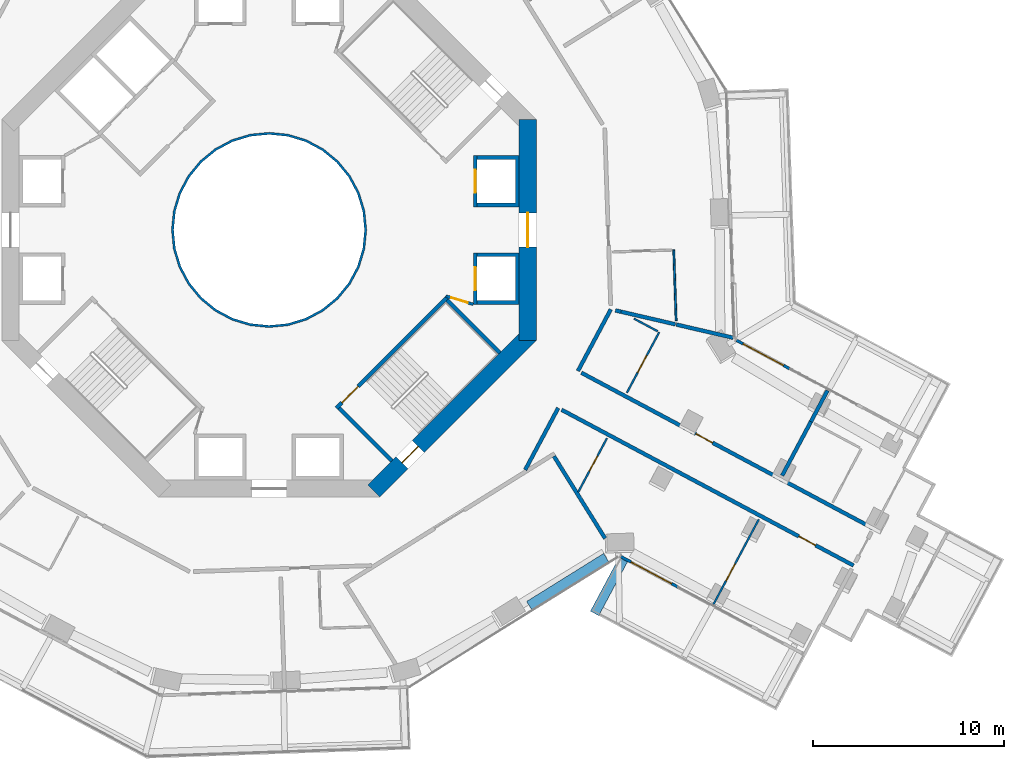
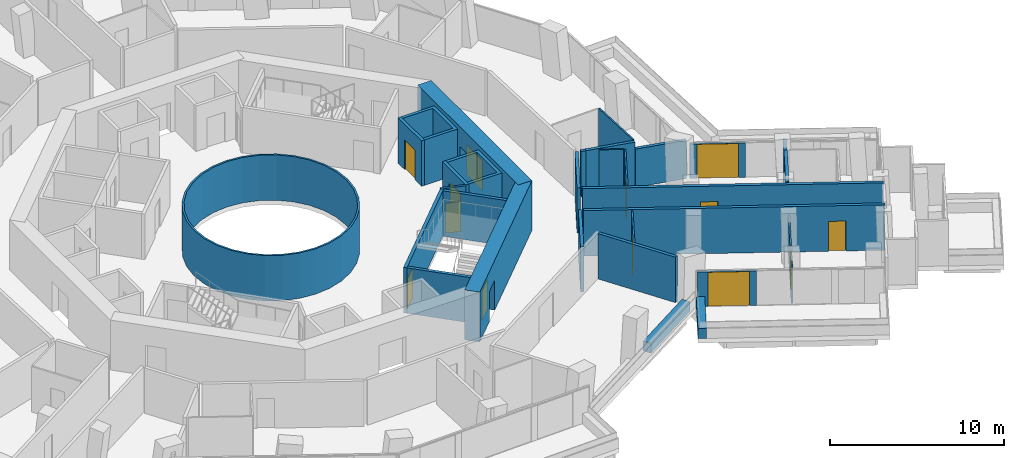
# One storey, part 20 of 27: 30 walls, 13 doors, 13 openings.
"""IFC4 building model written with IfcOpenShell, lengths in metres."""

from ifc_helpers import new_model, si_unit, direction, frame, frame_2d, origin, place, context, subcontext, project, spatial, polyline, rectangle, outline, extrude, material, layer, layer_set, type_object, element, fill, save


model = new_model("IFC4")

# Units and contexts
model_context = context("Model", 3, precision=1e-05, world=origin(), true_north=direction((0.0, 1.0)))
body_context = subcontext(model_context, "Body", "Model", "MODEL_VIEW")
ifc_project = project(units=[si_unit("LENGTHUNIT", "METRE"), si_unit("AREAUNIT", "SQUARE_METRE"), si_unit("VOLUMEUNIT", "CUBIC_METRE"), si_unit("PLANEANGLEUNIT", "RADIAN"), si_unit("MASSUNIT", "GRAM", prefix="KILO")], contexts=[model_context])

# Site, building, storey
site_placement = place(None, origin())
site = spatial("IfcSite", under=ifc_project, at=site_placement, CompositionType="ELEMENT")
building_placement = place(site_placement, origin())
building = spatial("IfcBuilding", under=site, at=building_placement, Name="Verdalira Terraces Hotel", CompositionType="ELEMENT")
storey_placement = place(building_placement, frame((0.0, 0.0, 42.5)))
storey = spatial("IfcBuildingStorey", under=building, at=storey_placement, Name="L08", CompositionType="ELEMENT", Elevation=42.5)

# Walls
ifc_material_1 = material(Name="Fire-resisting glass EI 180", Category="glass")
ifc_layer_1 = layer(ifc_material_1, 0.1201171875)
ifc_layer_set_1 = layer_set([ifc_layer_1], Name="Atrium fire screen 120 mm")
wall_type_1 = type_object("IfcWallType", Name="Atrium fire screen 120 mm", PredefinedType="SOLIDWALL", material=ifc_layer_set_1)
wall_1_placement = place(storey_placement, origin())
element("IfcWall", 1, at=wall_1_placement, inside=storey, type_object=wall_type_1, Name="Atrium fire screen", PredefinedType="SOLIDWALL", context=body_context, shape_type="SweptSolid", body=[
    extrude(outline(polyline([(5.021484, -0.998779), (4.730225, -1.959229), (4.25708, -2.844482), (3.620361, -3.620361), (2.844482, -4.25708), (1.959229, -4.730225), (0.998779, -5.021484), (0.0, -5.120117), (-0.998779, -5.021484), (-1.959229, -4.730225), (-2.844482, -4.25708), (-3.620361, -3.620361), (-4.25708, -2.844482), (-4.730225, -1.959229), (-5.021484, -0.998779), (-5.120117, 0.0), (-5.021484, 0.998779), (-4.730225, 1.959229), (-4.25708, 2.844482), (-3.620361, 3.620361), (-2.844482, 4.25708), (-1.959229, 4.730225), (-0.998779, 5.021484), (0.0, 5.120117), (0.998779, 5.021484), (1.959229, 4.730225), (2.844482, 4.25708), (3.620361, 3.620361), (4.25708, 2.844482), (4.730225, 1.959229), (5.021484, 0.998779), (5.120117, 0.0), (5.021484, -0.998779)]), holes=[polyline([(4.903809, 0.975586), (4.619385, 1.91333), (4.157227, 2.777832), (3.5354, 3.5354), (2.777832, 4.157227), (1.91333, 4.619385), (0.975586, 4.903809), (0.0, 5.0), (-0.975586, 4.903809), (-1.91333, 4.619385), (-2.777832, 4.157227), (-3.5354, 3.5354), (-4.157227, 2.777832), (-4.619385, 1.91333), (-4.903809, 0.975586), (-5.0, 0.0), (-4.903809, -0.975586), (-4.619385, -1.91333), (-4.157227, -2.777832), (-3.5354, -3.5354), (-2.777832, -4.157227), (-1.91333, -4.619385), (-0.975586, -4.903809), (0.0, -5.0), (0.975586, -4.903809), (1.91333, -4.619385), (2.777832, -4.157227), (3.5354, -3.5354), (4.157227, -2.777832), (4.619385, -1.91333), (4.903809, -0.975586), (5.0, 0.0), (4.903809, 0.975586)])]), origin(), (0.0, 0.0, 1.0), 3.189941),
])
ifc_material_2 = material(Name="Concrete C40", Category="concrete")
ifc_layer_2 = layer(ifc_material_2, 0.5)
ifc_layer_set_2 = layer_set([ifc_layer_2], Name="Balcony planter trough with tree")
wall_type_2 = type_object("IfcWallType", Name="Balcony planter trough with tree", PredefinedType="SOLIDWALL", material=ifc_layer_set_2)
wall_2_placement = place(storey_placement, frame((18.563477, -17.271973, 0.0), z_axis=(0.0, 0.0, 1.0), x_axis=(-0.470714983, -0.882285331, 0.0)))
element("IfcWall", 2, at=wall_2_placement, inside=storey, type_object=wall_type_2, Name="Balcony planter", PredefinedType="SOLIDWALL", context=body_context, shape_type="SweptSolid", body=[
    extrude(rectangle(XDim=3.198975, YDim=0.5, at=frame_2d((1.599609, 0.0))), origin(), (0.0, 0.0, 1.0), 0.699951),
])

# Wall, opening, door
ifc_material_3 = material(Name="Moisture-resistant gypsum board partition")
ifc_layer_3 = layer(ifc_material_3, 0.10009765625)
ifc_layer_set_3 = layer_set([ifc_layer_3], Name="Bathroom partition 100 mm")
wall_type_3 = type_object("IfcWallType", Name="Bathroom partition 100 mm", PredefinedType="PARTITIONING", material=ifc_layer_set_3)
wall_3_placement = place(storey_placement, frame((16.197021, -13.740723, 0.0), z_axis=(0.0, 0.0, 1.0), x_axis=(0.470683291, 0.882302238, 0.0)))
wall_3 = element("IfcWall", 3, at=wall_3_placement, inside=storey, type_object=wall_type_3, Name="Bathroom partition", PredefinedType="PARTITIONING", context=body_context, shape_type="SweptSolid", body=[
    extrude(rectangle(XDim=3.199219, YDim=0.100098, at=frame_2d((1.599609, 0.0))), origin(), (0.0, 0.0, 1.0), 3.189941),
])
opening_1_placement = place(wall_3_placement, frame((1.25, 0.0, 0.0)))
opening_1 = element("IfcOpeningElement", 4, at=opening_1_placement, cuts=wall_3, Name="Opening L08-123", PredefinedType="OPENING", context=body_context, shape_type="SweptSolid", body=[
    extrude(rectangle(XDim=0.899902, YDim=2.100098, at=frame_2d((0.449951, 1.050049))), frame((0.0, 0.060059, 0.0), z_axis=(0.0, -1.0, 0.0), x_axis=(1.0, 0.0, 0.0)), (0.0, 0.0, 1.0), 0.120117),
])
ifc_material_4 = material(Name="Timber door", Category="wood")
door_type_1 = type_object("IfcDoorType", Name="Bathroom door 900 x 2100", OperationType="NOTDEFINED", PredefinedType="DOOR", material=ifc_material_4)
door_1_placement = place(opening_1_placement, origin())
door_1 = element("IfcDoor", 5, at=door_1_placement, inside=storey, type_object=door_type_1, Name="Bathroom door 0811", OperationType="SINGLE_SWING_LEFT", OverallHeight=2.10009765625, OverallWidth=0.89990234375, PredefinedType="DOOR", context=body_context, shape_type="SweptSolid", body=[
    extrude(rectangle(XDim=0.899902, YDim=2.100098, at=frame_2d((0.449951, 1.050049))), frame((0.0, 0.024902, 0.0), z_axis=(0.0, -1.0, 0.0), x_axis=(1.0, 0.0, 0.0)), (0.0, 0.0, 1.0), 0.050049),
])
fill(opening_1, door_1)

wall_4_placement = place(storey_placement, frame((18.750244, -8.529785, 0.0), z_axis=(0.0, 0.0, 1.0), x_axis=(0.470739592, 0.882272201, 0.0)))
wall_4 = element("IfcWall", 6, at=wall_4_placement, inside=storey, type_object=wall_type_3, Name="Bathroom partition", PredefinedType="PARTITIONING", context=body_context, shape_type="SweptSolid", body=[
    extrude(rectangle(XDim=3.599854, YDim=0.100098, at=frame_2d((1.799805, 0.0))), origin(), (0.0, 0.0, 1.0), 3.189941),
])
opening_2_placement = place(wall_4_placement, frame((1.199951, 0.0, 0.0)))
opening_2 = element("IfcOpeningElement", 7, at=opening_2_placement, cuts=wall_4, Name="Opening L08-128", PredefinedType="OPENING", context=body_context, shape_type="SweptSolid", body=[
    extrude(rectangle(XDim=1.0, YDim=2.100098, at=frame_2d((0.5, 1.050049))), frame((0.0, 0.060059, 0.0), z_axis=(0.0, -1.0, 0.0), x_axis=(1.0, 0.0, 0.0)), (0.0, 0.0, 1.0), 0.120117),
])
ifc_material_5 = material(Name="Timber door", Category="wood")
door_type_2 = type_object("IfcDoorType", Name="Bathroom door 1000 x 2100", OperationType="NOTDEFINED", PredefinedType="DOOR", material=ifc_material_5)
door_2_placement = place(opening_2_placement, origin())
door_2 = element("IfcDoor", 8, at=door_2_placement, inside=storey, type_object=door_type_2, Name="Bathroom door 0813", OperationType="SINGLE_SWING_RIGHT", OverallHeight=2.10009765625, OverallWidth=1.0, PredefinedType="DOOR", context=body_context, shape_type="SweptSolid", body=[
    extrude(rectangle(XDim=1.0, YDim=2.100098, at=frame_2d((0.5, 1.050049))), frame((0.0, 0.024902, 0.0), z_axis=(0.0, -1.0, 0.0), x_axis=(1.0, 0.0, 0.0)), (0.0, 0.0, 1.0), 0.050049),
])
fill(opening_2, door_2)

# Walls
wall_5_placement = place(storey_placement, frame((19.122803, -4.648193, 0.0), z_axis=(0.0, 0.0, 1.0), x_axis=(0.882241776, -0.470796611, 0.0)))
element("IfcWall", 9, at=wall_5_placement, inside=storey, type_object=wall_type_3, Name="Bathroom partition", PredefinedType="PARTITIONING", context=body_context, shape_type="SweptSolid", body=[
    extrude(rectangle(XDim=1.398682, YDim=0.100098, at=frame_2d((0.699219, 0.0))), origin(), (0.0, 0.0, 1.0), 3.189941),
])
wall_6_placement = place(storey_placement, frame((21.205322, -1.048584, 0.0), z_axis=(0.0, 0.0, 1.0), x_axis=(0.033551868, -0.999436978, 0.0)))
element("IfcWall", 10, at=wall_6_placement, inside=storey, type_object=wall_type_3, Name="Bathroom partition", PredefinedType="PARTITIONING", context=body_context, shape_type="SweptSolid", body=[
    extrude(rectangle(XDim=3.703857, YDim=0.100098, at=frame_2d((1.852051, 0.0))), origin(), (0.0, 0.0, 1.0), 3.189941),
])

# Wall, opening, door
ifc_material_6 = material(Name="Moisture-resistant gypsum board partition")
ifc_layer_4 = layer(ifc_material_6, 0.10009765625)
ifc_layer_set_4 = layer_set([ifc_layer_4], Name="Bathroom partition 100 mm to beam soffit")
wall_type_4 = type_object("IfcWallType", Name="Bathroom partition 100 mm to beam soffit", PredefinedType="PARTITIONING", material=ifc_layer_set_4)
wall_7_placement = place(storey_placement, frame((23.2854, -19.620117, 0.0), z_axis=(0.0, 0.0, 1.0), x_axis=(0.470706159, 0.882290038, 0.0)))
wall_7 = element("IfcWall", 11, at=wall_7_placement, inside=storey, type_object=wall_type_4, Name="Bathroom partition", PredefinedType="PARTITIONING", context=body_context, shape_type="SweptSolid", body=[
    extrude(rectangle(XDim=5.050293, YDim=0.100098, at=frame_2d((2.525146, 0.0))), origin(), (0.0, 0.0, 1.0), 2.689941),
])
opening_3_placement = place(wall_7_placement, frame((1.399902, 0.0, 0.0)))
opening_3 = element("IfcOpeningElement", 12, at=opening_3_placement, cuts=wall_7, Name="Opening L08-122", PredefinedType="OPENING", context=body_context, shape_type="SweptSolid", body=[
    extrude(rectangle(XDim=1.0, YDim=2.100098, at=frame_2d((0.5, 1.050049))), frame((0.0, 0.060059, 0.0), z_axis=(0.0, -1.0, 0.0), x_axis=(1.0, 0.0, 0.0)), (0.0, 0.0, 1.0), 0.120117),
])
ifc_material_7 = material(Name="Timber door", Category="wood")
door_type_3 = type_object("IfcDoorType", Name="Suite internal door 1000 x 2100", OperationType="NOTDEFINED", PredefinedType="DOOR", material=ifc_material_7)
door_3_placement = place(opening_3_placement, origin())
door_3 = element("IfcDoor", 13, at=door_3_placement, inside=storey, type_object=door_type_3, Name="Suite internal door 0811", OperationType="SINGLE_SWING_LEFT", OverallHeight=2.10009765625, OverallWidth=1.0, PredefinedType="DOOR", context=body_context, shape_type="SweptSolid", body=[
    extrude(rectangle(XDim=1.0, YDim=2.100098, at=frame_2d((0.5, 1.050049))), frame((0.0, 0.024902, 0.0), z_axis=(0.0, -1.0, 0.0), x_axis=(1.0, 0.0, 0.0)), (0.0, 0.0, 1.0), 0.050049),
])
fill(opening_3, door_3)

# Wall
ifc_material_8 = material(Name="Concrete C50", Category="concrete")
ifc_layer_5 = layer(ifc_material_8, 0.199951171875)
ifc_layer_set_5 = layer_set([ifc_layer_5], Name="Core RC wall 200 C50")
wall_type_5 = type_object("IfcWallType", Name="Core RC wall 200 C50", PredefinedType="SOLIDWALL", material=ifc_layer_set_5)
wall_8_placement = place(storey_placement, origin())
element("IfcWall", 14, at=wall_8_placement, inside=storey, type_object=wall_type_5, Name="L08 shaft wall E1", PredefinedType="SOLIDWALL", context=body_context, shape_type="SweptSolid", body=[
    extrude(outline(polyline([(13.100098, -3.899902), (10.899902, -3.899902), (10.899902, -3.699951), (12.899902, -3.699951), (12.899902, -1.399902), (10.899902, -1.399902), (10.899902, -1.199951), (13.100098, -1.199951), (13.100098, -3.899902)])), origin(), (0.0, 0.0, 1.0), 3.189941),
])

# Wall, opening, door
wall_9_placement = place(storey_placement, frame((10.800049, -1.199951, 0.0), z_axis=(0.0, 0.0, 1.0), x_axis=(0.0, -1.0, 0.0)))
wall_9 = element("IfcWall", 15, at=wall_9_placement, inside=storey, type_object=wall_type_5, Name="L08 shaft front wall E1", PredefinedType="SOLIDWALL", context=body_context, shape_type="SweptSolid", body=[
    extrude(rectangle(XDim=2.699951, YDim=0.199951, at=frame_2d((1.350098, 0.0))), origin(), (0.0, 0.0, 1.0), 3.189941),
])
opening_4_placement = place(wall_9_placement, frame((0.75, 0.0, 0.0)))
opening_4 = element("IfcOpeningElement", 16, at=opening_4_placement, cuts=wall_9, Name="Opening LD-L08-801", PredefinedType="OPENING", context=body_context, shape_type="SweptSolid", body=[
    extrude(rectangle(XDim=1.199951, YDim=2.100098, at=frame_2d((0.600098, 1.050049))), frame((0.0, 0.109863, 0.0), z_axis=(0.0, -1.0, 0.0), x_axis=(1.0, 0.0, 0.0)), (0.0, 0.0, 1.0), 0.219971),
])
ifc_material_9 = material(Name="Stainless steel", Category="steel")
door_type_4 = type_object("IfcDoorType", Name="Landing door 1200 x 2100", OperationType="NOTDEFINED", PredefinedType="DOOR", material=ifc_material_9)
door_4_placement = place(opening_4_placement, origin())
door_4 = element("IfcDoor", 17, at=door_4_placement, inside=storey, type_object=door_type_4, Name="Lift landing door LR1 L08", OperationType="DOUBLE_DOOR_SLIDING", OverallHeight=2.10009765625, OverallWidth=1.199951171875, PredefinedType="DOOR", context=body_context, shape_type="SweptSolid", body=[
    extrude(rectangle(XDim=1.199951, YDim=2.100098, at=frame_2d((0.600098, 1.050049))), frame((0.0, 0.024902, 0.0), z_axis=(0.0, -1.0, 0.0), x_axis=(1.0, 0.0, 0.0)), (0.0, 0.0, 1.0), 0.050049),
])
fill(opening_4, door_4)

# Wall
wall_10_placement = place(storey_placement, origin())
element("IfcWall", 18, at=wall_10_placement, inside=storey, type_object=wall_type_5, Name="L08 shaft wall E2", PredefinedType="SOLIDWALL", context=body_context, shape_type="SweptSolid", body=[
    extrude(outline(polyline([(13.100098, 3.899902), (13.100098, 1.199951), (10.899902, 1.199951), (10.899902, 1.399902), (12.899902, 1.399902), (12.899902, 3.699951), (10.899902, 3.699951), (10.899902, 3.899902), (13.100098, 3.899902)])), origin(), (0.0, 0.0, 1.0), 3.189941),
])

# Wall, opening, door
wall_11_placement = place(storey_placement, frame((10.800049, 1.199951, 0.0), z_axis=(0.0, 0.0, 1.0), x_axis=(0.0, 1.0, 0.0)))
wall_11 = element("IfcWall", 19, at=wall_11_placement, inside=storey, type_object=wall_type_5, Name="L08 shaft front wall E2", PredefinedType="SOLIDWALL", context=body_context, shape_type="SweptSolid", body=[
    extrude(rectangle(XDim=2.699951, YDim=0.199951, at=frame_2d((1.350098, 0.0))), origin(), (0.0, 0.0, 1.0), 3.189941),
])
opening_5_placement = place(wall_11_placement, frame((0.75, 0.0, 0.0)))
opening_5 = element("IfcOpeningElement", 20, at=opening_5_placement, cuts=wall_11, Name="Opening LD-L08-802", PredefinedType="OPENING", context=body_context, shape_type="SweptSolid", body=[
    extrude(rectangle(XDim=1.199951, YDim=2.100098, at=frame_2d((0.600098, 1.050049))), frame((0.0, 0.109863, 0.0), z_axis=(0.0, -1.0, 0.0), x_axis=(1.0, 0.0, 0.0)), (0.0, 0.0, 1.0), 0.219971),
])
door_5_placement = place(opening_5_placement, origin())
door_5 = element("IfcDoor", 21, at=door_5_placement, inside=storey, type_object=door_type_4, Name="Lift landing door LR2 L08", OperationType="DOUBLE_DOOR_SLIDING", OverallHeight=2.10009765625, OverallWidth=1.199951171875, PredefinedType="DOOR", context=body_context, shape_type="SweptSolid", body=[
    extrude(rectangle(XDim=1.199951, YDim=2.100098, at=frame_2d((0.600098, 1.050049))), frame((0.0, 0.024902, 0.0), z_axis=(0.0, -1.0, 0.0), x_axis=(1.0, 0.0, 0.0)), (0.0, 0.0, 1.0), 0.050049),
])
fill(opening_5, door_5)

wall_12_placement = place(storey_placement, frame((9.33374, -3.5354, 0.0), z_axis=(0.0, 0.0, 1.0), x_axis=(-0.707106781, -0.707106781, 0.0)))
wall_12 = element("IfcWall", 22, at=wall_12_placement, inside=storey, type_object=wall_type_5, Name="L08 stair ST3 front wall", PredefinedType="SOLIDWALL", context=body_context, shape_type="SweptSolid", body=[
    extrude(rectangle(XDim=8.200195, YDim=0.199951, at=frame_2d((4.100098, 0.0))), origin(), (0.0, 0.0, 1.0), 3.189941),
])
opening_6_placement = place(wall_12_placement, frame((6.600098, 0.0, 0.0)))
opening_6 = element("IfcOpeningElement", 23, at=opening_6_placement, cuts=wall_12, Name="Opening L08-811", PredefinedType="OPENING", context=body_context, shape_type="SweptSolid", body=[
    extrude(rectangle(XDim=1.199951, YDim=2.100098, at=frame_2d((0.600098, 1.050049))), frame((0.0, 0.109863, 0.0), z_axis=(0.0, -1.0, 0.0), x_axis=(1.0, 0.0, 0.0)), (0.0, 0.0, 1.0), 0.219971),
])
ifc_material_10 = material(Name="Steel fire door", Category="steel")
door_type_5 = type_object("IfcDoorType", Name="Stair door 1200 x 2100", OperationType="NOTDEFINED", PredefinedType="DOOR", material=ifc_material_10)
door_6_placement = place(opening_6_placement, origin())
door_6 = element("IfcDoor", 24, at=door_6_placement, inside=storey, type_object=door_type_5, Name="Stair door ST3 L08", OperationType="SINGLE_SWING_RIGHT", OverallHeight=2.10009765625, OverallWidth=1.199951171875, PredefinedType="DOOR", context=body_context, shape_type="SweptSolid", body=[
    extrude(rectangle(XDim=1.199951, YDim=2.100098, at=frame_2d((0.600098, 1.050049))), frame((0.0, 0.024902, 0.0), z_axis=(0.0, -1.0, 0.0), x_axis=(1.0, 0.0, 0.0)), (0.0, 0.0, 1.0), 0.050049),
])
fill(opening_6, door_6)

# Walls
for number, where, z_axis, x_axis, name in (
    (25, (3.677002, -9.33374, 0.0), (0.0, 0.0, 1.0), (0.707106781, -0.707106781, 0.0), "L08 stair ST3 end wall 1"),
    (26, (9.33374, -3.677002, 0.0), (0.0, 0.0, 1.0), (0.707106781, -0.707106781, 0.0), "L08 stair ST3 end wall 2"),
):
    element("IfcWall", number, at=place(storey_placement, frame(where, z_axis=z_axis, x_axis=x_axis)), inside=storey, type_object=wall_type_5, Name=name, PredefinedType="SOLIDWALL", context=body_context, shape_type="SweptSolid", body=[
        extrude(rectangle(XDim=3.900146, YDim=0.199951, at=frame_2d((1.950195, 0.0))), origin(), (0.0, 0.0, 1.0), 3.189941),
    ])

# Wall, opening, door
ifc_material_11 = material(Name="Gypsum board partition")
ifc_layer_6 = layer(ifc_material_11, 0.14990234375)
ifc_layer_set_6 = layer_set([ifc_layer_6], Name="Core partition 150 mm")
wall_type_6 = type_object("IfcWallType", Name="Core partition 150 mm", PredefinedType="PARTITIONING", material=ifc_layer_set_6)
wall_13_placement = place(storey_placement, frame((9.263184, -3.464844, 0.0), z_axis=(0.0, 0.0, 1.0), x_axis=(0.957084567, -0.289808785, 0.0)))
wall_13 = element("IfcWall", 27, at=wall_13_placement, inside=storey, type_object=wall_type_6, Name="Room partition L08", PredefinedType="PARTITIONING", context=body_context, shape_type="SweptSolid", body=[
    extrude(rectangle(XDim=1.501221, YDim=0.149902, at=frame_2d((0.750488, 0.0))), origin(), (0.0, 0.0, 1.0), 3.189941),
])
opening_7_placement = place(wall_13_placement, frame((0.300781, 0.0, 0.0)))
opening_7 = element("IfcOpeningElement", 28, at=opening_7_placement, cuts=wall_13, Name="Opening L08-824", PredefinedType="OPENING", context=body_context, shape_type="SweptSolid", body=[
    extrude(rectangle(XDim=0.899902, YDim=2.100098, at=frame_2d((0.449951, 1.050049))), frame((0.0, 0.084961, 0.0), z_axis=(0.0, -1.0, 0.0), x_axis=(1.0, 0.0, 0.0)), (0.0, 0.0, 1.0), 0.169922),
])
ifc_material_12 = material(Name="Steel fire door", Category="steel")
door_type_6 = type_object("IfcDoorType", Name="Core room door 900 x 2100", OperationType="NOTDEFINED", PredefinedType="DOOR", material=ifc_material_12)
door_7_placement = place(opening_7_placement, origin())
door_7 = element("IfcDoor", 29, at=door_7_placement, inside=storey, type_object=door_type_6, Name="Door L08 room7", OperationType="SINGLE_SWING_LEFT", OverallHeight=2.10009765625, OverallWidth=0.89990234375, PredefinedType="DOOR", context=body_context, shape_type="SweptSolid", body=[
    extrude(rectangle(XDim=0.899902, YDim=2.100098, at=frame_2d((0.449951, 1.050049))), frame((0.0, 0.024902, 0.0), z_axis=(0.0, -1.0, 0.0), x_axis=(1.0, 0.0, 0.0)), (0.0, 0.0, 1.0), 0.050049),
])
fill(opening_7, door_7)

ifc_material_13 = material(Name="Concrete C70", Category="concrete")
ifc_layer_7 = layer(ifc_material_13, 0.89990234375)
ifc_layer_set_7 = layer_set([ifc_layer_7], Name="Core wall 900 C70")
wall_type_7 = type_object("IfcWallType", Name="Core wall 900 C70", PredefinedType="SHEAR", material=ifc_layer_set_7)
wall_14_placement = place(storey_placement, frame((13.550049, -5.799072, 0.0), z_axis=(0.0, 0.0, 1.0), x_axis=(0.0, 1.0, 0.0)))
wall_14 = element("IfcWall", 30, at=wall_14_placement, inside=storey, type_object=wall_type_7, Name="Core wall CW-L08-1", PredefinedType="SHEAR", context=body_context, shape_type="SweptSolid", body=[
    extrude(rectangle(XDim=11.598145, YDim=0.899902, at=frame_2d((5.799072, 0.0))), origin(), (0.0, 0.0, 1.0), 3.5),
])
opening_8_placement = place(wall_14_placement, frame((4.898926, 0.0, 0.0)))
opening_8 = element("IfcOpeningElement", 31, at=opening_8_placement, cuts=wall_14, Name="Opening L08-812", PredefinedType="OPENING", context=body_context, shape_type="SweptSolid", body=[
    extrude(rectangle(XDim=1.800049, YDim=2.100098, at=frame_2d((0.899902, 1.050049))), frame((0.0, 0.459961, 0.0), z_axis=(0.0, -1.0, 0.0), x_axis=(1.0, 0.0, 0.0)), (0.0, 0.0, 1.0), 0.919922),
])
ifc_material_14 = material(Name="Steel fire door", Category="steel")
door_type_7 = type_object("IfcDoorType", Name="Core entry door pair 1800 x 2100", OperationType="NOTDEFINED", PredefinedType="DOOR", material=ifc_material_14)
door_8_placement = place(opening_8_placement, origin())
door_8 = element("IfcDoor", 32, at=door_8_placement, inside=storey, type_object=door_type_7, Name="Core entry door L08 0", OperationType="DOUBLE_DOOR_SINGLE_SWING", OverallHeight=2.10009765625, OverallWidth=1.800048828125, PredefinedType="DOOR", context=body_context, shape_type="SweptSolid", body=[
    extrude(rectangle(XDim=1.800049, YDim=2.100098, at=frame_2d((0.899902, 1.050049))), frame((0.0, 0.024902, 0.0), z_axis=(0.0, -1.0, 0.0), x_axis=(1.0, 0.0, 0.0)), (0.0, 0.0, 1.0), 0.050049),
])
fill(opening_8, door_8)

wall_15_placement = place(storey_placement, frame((5.480713, -13.681885, 0.0), z_axis=(0.0, 0.0, 1.0), x_axis=(0.707106781, 0.707106781, 0.0)))
wall_15 = element("IfcWall", 33, at=wall_15_placement, inside=storey, type_object=wall_type_7, Name="Core wall CW-L08-8", PredefinedType="SHEAR", context=body_context, shape_type="SweptSolid", body=[
    extrude(rectangle(XDim=11.598145, YDim=0.899902, at=frame_2d((5.799072, 0.0))), origin(), (0.0, 0.0, 1.0), 3.5),
])
opening_9_placement = place(wall_15_placement, frame((2.099121, 0.0, 0.0)))
opening_9 = element("IfcOpeningElement", 34, at=opening_9_placement, cuts=wall_15, Name="Opening L08-818", PredefinedType="OPENING", context=body_context, shape_type="SweptSolid", body=[
    extrude(rectangle(XDim=1.199951, YDim=2.100098, at=frame_2d((0.600098, 1.050049))), frame((0.0, 0.459961, 0.0), z_axis=(0.0, -1.0, 0.0), x_axis=(1.0, 0.0, 0.0)), (0.0, 0.0, 1.0), 0.919922),
])
door_9_placement = place(opening_9_placement, origin())
door_9 = element("IfcDoor", 35, at=door_9_placement, inside=storey, type_object=door_type_5, Name="Stair exit door ST3 L08", OperationType="SINGLE_SWING_LEFT", OverallHeight=2.10009765625, OverallWidth=1.199951171875, PredefinedType="DOOR", context=body_context, shape_type="SweptSolid", body=[
    extrude(rectangle(XDim=1.199951, YDim=2.100098, at=frame_2d((0.600098, 1.050049))), frame((0.0, 0.024902, 0.0), z_axis=(0.0, -1.0, 0.0), x_axis=(1.0, 0.0, 0.0)), (0.0, 0.0, 1.0), 0.050049),
])
fill(opening_9, door_9)

# Walls
ifc_material_15 = material(Name="Fire-rated gypsum board wall")
ifc_layer_8 = layer(ifc_material_15, 0.199951171875)
ifc_layer_set_8 = layer_set([ifc_layer_8], Name="Demising wall 200 mm")
wall_type_8 = type_object("IfcWallType", Name="Demising wall 200 mm", PredefinedType="SOLIDWALL", material=ifc_layer_set_8)
wall_16_placement = place(storey_placement, frame((18.147705, -4.216309, 0.0), z_axis=(0.0, 0.0, 1.0), x_axis=(0.973883062, -0.227050173, 0.0)))
element("IfcWall", 36, at=wall_16_placement, inside=storey, type_object=wall_type_8, Name="Demising wall", PredefinedType="SOLIDWALL", context=body_context, shape_type="SweptSolid", body=[
    extrude(rectangle(XDim=0.301025, YDim=0.199951, at=frame_2d((0.150391, 0.0))), origin(), (0.0, 0.0, 1.0), 3.189941),
])
wall_17_placement = place(storey_placement, frame((18.440918, -4.284668, 0.0), z_axis=(0.0, 0.0, 1.0), x_axis=(0.974072238, -0.22623721, 0.0)))
element("IfcWall", 37, at=wall_17_placement, inside=storey, type_object=wall_type_8, Name="Demising wall", PredefinedType="SOLIDWALL", context=body_context, shape_type="SweptSolid", body=[
    extrude(rectangle(XDim=2.924561, YDim=0.199951, at=frame_2d((1.462402, 0.0))), origin(), (0.0, 0.0, 1.0), 3.189941),
])
wall_18_placement = place(storey_placement, frame((26.886475, -12.870605, 0.0), z_axis=(0.0, 0.0, 1.0), x_axis=(0.470647631, 0.882321261, 0.0)))
element("IfcWall", 38, at=wall_18_placement, inside=storey, type_object=wall_type_8, Name="Demising wall", PredefinedType="SOLIDWALL", context=body_context, shape_type="SweptSolid", body=[
    extrude(rectangle(XDim=3.199951, YDim=0.199951, at=frame_2d((1.600098, 0.0))), origin(), (0.0, 0.0, 1.0), 3.189941),
])
ifc_material_16 = material(Name="Fire-rated gypsum board wall")
ifc_layer_9 = layer(ifc_material_16, 0.199951171875)
ifc_layer_set_9 = layer_set([ifc_layer_9], Name="Demising wall 200 mm to beam soffit")
wall_type_9 = type_object("IfcWallType", Name="Demising wall 200 mm to beam soffit", PredefinedType="SOLIDWALL", material=ifc_layer_set_9)
wall_19_placement = place(storey_placement, frame((21.334473, -4.956787, 0.0), z_axis=(0.0, 0.0, 1.0), x_axis=(0.974051382, -0.226326987, 0.0)))
element("IfcWall", 39, at=wall_19_placement, inside=storey, type_object=wall_type_9, Name="Demising wall", PredefinedType="SOLIDWALL", context=body_context, shape_type="SweptSolid", body=[
    extrude(rectangle(XDim=3.061279, YDim=0.199951, at=frame_2d((1.530762, 0.0))), origin(), (0.0, 0.0, 1.0), 2.689941),
])
wall_20_placement = place(storey_placement, frame((28.392578, -10.047119, 0.0), z_axis=(0.0, 0.0, 1.0), x_axis=(0.470704667, 0.882290834, 0.0)))
element("IfcWall", 40, at=wall_20_placement, inside=storey, type_object=wall_type_9, Name="Demising wall", PredefinedType="SOLIDWALL", context=body_context, shape_type="SweptSolid", body=[
    extrude(rectangle(XDim=1.850098, YDim=0.199951, at=frame_2d((0.925049, 0.0))), origin(), (0.0, 0.0, 1.0), 2.689941),
])
ifc_material_17 = material(Name="Fire-rated gypsum board wall")
ifc_layer_10 = layer(ifc_material_17, 0.199951171875)
ifc_layer_set_10 = layer_set([ifc_layer_10], Name="Guest corridor wall 200 mm")
wall_type_10 = type_object("IfcWallType", Name="Guest corridor wall 200 mm", PredefinedType="SOLIDWALL", material=ifc_layer_set_10)
wall_21_placement = place(storey_placement, frame((13.418701, -12.574707, 0.0), z_axis=(0.0, 0.0, 1.0), x_axis=(0.470712248, 0.88228679, 0.0)))
element("IfcWall", 41, at=wall_21_placement, inside=storey, type_object=wall_type_10, Name="Guest corridor wall", PredefinedType="SOLIDWALL", context=body_context, shape_type="SweptSolid", body=[
    extrude(rectangle(XDim=3.678467, YDim=0.199951, at=frame_2d((1.839355, 0.0))), origin(), (0.0, 0.0, 1.0), 3.189941),
])
wall_22_placement = place(storey_placement, frame((16.185791, -7.388428, 0.0), z_axis=(0.0, 0.0, 1.0), x_axis=(0.470681754, 0.882303058, 0.0)))
element("IfcWall", 42, at=wall_22_placement, inside=storey, type_object=wall_type_10, Name="Guest corridor wall", PredefinedType="SOLIDWALL", context=body_context, shape_type="SweptSolid", body=[
    extrude(rectangle(XDim=3.658447, YDim=0.199951, at=frame_2d((1.829102, 0.0))), origin(), (0.0, 0.0, 1.0), 3.189941),
])

# Wall, opening, door
wall_23_placement = place(storey_placement, frame((30.628174, -17.586914, 0.0), z_axis=(0.0, 0.0, 1.0), x_axis=(-0.882292533, 0.470701483, 0.0)))
wall_23 = element("IfcWall", 43, at=wall_23_placement, inside=storey, type_object=wall_type_10, Name="Guest corridor wall", PredefinedType="SOLIDWALL", context=body_context, shape_type="SweptSolid", body=[
    extrude(rectangle(XDim=17.343018, YDim=0.199951, at=frame_2d((8.671387, 0.0))), origin(), (0.0, 0.0, 1.0), 3.189941),
])
opening_10_placement = place(wall_23_placement, frame((2.25, 0.0, 0.0)))
opening_10 = element("IfcOpeningElement", 44, at=opening_10_placement, cuts=wall_23, Name="Opening L08-121", PredefinedType="OPENING", context=body_context, shape_type="SweptSolid", body=[
    extrude(rectangle(XDim=1.0, YDim=2.100098, at=frame_2d((0.5, 1.050049))), frame((0.0, 0.109863, 0.0), z_axis=(0.0, -1.0, 0.0), x_axis=(1.0, 0.0, 0.0)), (0.0, 0.0, 1.0), 0.219971),
])
ifc_material_18 = material(Name="Timber fire door", Category="wood")
door_type_8 = type_object("IfcDoorType", Name="Guest entry door 1000 x 2100", OperationType="NOTDEFINED", PredefinedType="DOOR", material=ifc_material_18)
door_10_placement = place(opening_10_placement, origin())
door_10 = element("IfcDoor", 45, at=door_10_placement, inside=storey, type_object=door_type_8, Name="Guest entry door 0811", OperationType="SINGLE_SWING_LEFT", OverallHeight=2.10009765625, OverallWidth=1.0, PredefinedType="DOOR", context=body_context, shape_type="SweptSolid", body=[
    extrude(rectangle(XDim=1.0, YDim=2.100098, at=frame_2d((0.5, 1.050049))), frame((0.0, 0.024902, 0.0), z_axis=(0.0, -1.0, 0.0), x_axis=(1.0, 0.0, 0.0)), (0.0, 0.0, 1.0), 0.050049),
])
fill(opening_10, door_10)

wall_24_placement = place(storey_placement, frame((16.362305, -7.482422, 0.0), z_axis=(0.0, 0.0, 1.0), x_axis=(0.882286687, -0.470712441, 0.0)))
wall_24 = element("IfcWall", 46, at=wall_24_placement, inside=storey, type_object=wall_type_10, Name="Guest corridor wall", PredefinedType="SOLIDWALL", context=body_context, shape_type="SweptSolid", body=[
    extrude(rectangle(XDim=17.343018, YDim=0.199951, at=frame_2d((8.671387, 0.0))), origin(), (0.0, 0.0, 1.0), 3.189941),
])
opening_11_placement = place(wall_24_placement, frame((6.800049, 0.0, 0.0)))
opening_11 = element("IfcOpeningElement", 47, at=opening_11_placement, cuts=wall_24, Name="Opening L08-127", PredefinedType="OPENING", context=body_context, shape_type="SweptSolid", body=[
    extrude(rectangle(XDim=1.0, YDim=2.100098, at=frame_2d((0.5, 1.050049))), frame((0.0, 0.109863, 0.0), z_axis=(0.0, -1.0, 0.0), x_axis=(1.0, 0.0, 0.0)), (0.0, 0.0, 1.0), 0.219971),
])
door_11_placement = place(opening_11_placement, origin())
door_11 = element("IfcDoor", 48, at=door_11_placement, inside=storey, type_object=door_type_8, Name="Guest entry door 0813", OperationType="SINGLE_SWING_RIGHT", OverallHeight=2.10009765625, OverallWidth=1.0, PredefinedType="DOOR", context=body_context, shape_type="SweptSolid", body=[
    extrude(rectangle(XDim=1.0, YDim=2.100098, at=frame_2d((0.5, 1.050049))), frame((0.0, 0.024902, 0.0), z_axis=(0.0, -1.0, 0.0), x_axis=(1.0, 0.0, 0.0)), (0.0, 0.0, 1.0), 0.050049),
])
fill(opening_11, door_11)

# Walls
ifc_material_19 = material(Name="Terracotta cladding", Category="masonry")
ifc_layer_11 = layer(ifc_material_19, 0.199951171875)
ifc_layer_set_11 = layer_set([ifc_layer_11], Name="Loggia back wall 200")
wall_type_11 = type_object("IfcWallType", Name="Loggia back wall 200", PredefinedType="SOLIDWALL", material=ifc_layer_set_11)
wall_25_placement = place(storey_placement, frame((17.609863, -16.165039, 0.0), z_axis=(0.0, 0.0, 1.0), x_axis=(-0.528726601, 0.84879219, 0.0)))
element("IfcWall", 49, at=wall_25_placement, inside=storey, type_object=wall_type_11, Name="Loggia side wall", PredefinedType="SOLIDWALL", context=body_context, shape_type="SweptSolid", body=[
    extrude(rectangle(XDim=5.073242, YDim=0.199951, at=frame_2d((2.536621, 0.0))), origin(), (0.0, 0.0, 1.0), 3.189941),
])
ifc_material_20 = material(Name="Concrete C40", Category="concrete")
ifc_layer_12 = layer(ifc_material_20, 0.5)
ifc_layer_set_12 = layer_set([ifc_layer_12], Name="Loggia planter trough with tree")
wall_type_12 = type_object("IfcWallType", Name="Loggia planter trough with tree", PredefinedType="SOLIDWALL", material=ifc_layer_set_12)
wall_26_placement = place(storey_placement, frame((13.626221, -19.679443, 0.0), z_axis=(0.0, 0.0, 1.0), x_axis=(0.848787779, 0.528733682, 0.0)))
element("IfcWall", 50, at=wall_26_placement, inside=storey, type_object=wall_type_12, Name="Loggia planter", PredefinedType="SOLIDWALL", context=body_context, shape_type="SweptSolid", body=[
    extrude(rectangle(XDim=4.754639, YDim=0.5, at=frame_2d((2.377441, 0.0))), origin(), (0.0, 0.0, 1.0), 0.699951),
])

# Wall, opening, door
ifc_material_21 = material(Name="Terracotta cladding", Category="masonry")
ifc_layer_13 = layer(ifc_material_21, 0.14990234375)
ifc_layer_set_13 = layer_set([ifc_layer_13], Name="Terracotta door pier 150")
wall_type_13 = type_object("IfcWallType", Name="Terracotta door pier 150", PredefinedType="SOLIDWALL", material=ifc_layer_set_13)
wall_27_placement = place(storey_placement, frame((18.44043, -17.120117, 0.0), z_axis=(0.0, 0.0, 1.0), x_axis=(0.882287375, -0.470711151, 0.0)))
wall_27 = element("IfcWall", 51, at=wall_27_placement, inside=storey, type_object=wall_type_13, Name="Terracotta door pier", PredefinedType="SOLIDWALL", context=body_context, shape_type="SweptSolid", body=[
    extrude(rectangle(XDim=3.401855, YDim=0.149902, at=frame_2d((1.700928, 0.0))), origin(), (0.0, 0.0, 1.0), 2.425049),
])
opening_12_placement = place(wall_27_placement, frame((0.601807, 0.0, 0.0)))
opening_12 = element("IfcOpeningElement", 52, at=opening_12_placement, cuts=wall_27, Name="Opening L08-B15", PredefinedType="OPENING", context=body_context, shape_type="SweptSolid", body=[
    extrude(rectangle(XDim=2.399902, YDim=2.399902, at=frame_2d((1.199951, 1.199951))), frame((0.0, 0.084961, 0.0), z_axis=(0.0, -1.0, 0.0), x_axis=(1.0, 0.0, 0.0)), (0.0, 0.0, 1.0), 0.169922),
])
ifc_material_22 = material(Name="Clear glass", Category="glass")
door_type_9 = type_object("IfcDoorType", Name="Balcony sliding door 2400x2400", OperationType="NOTDEFINED", PredefinedType="DOOR", material=ifc_material_22)
door_12_placement = place(opening_12_placement, origin())
door_12 = element("IfcDoor", 53, at=door_12_placement, inside=storey, type_object=door_type_9, Name="Balcony sliding door", OperationType="SLIDING_TO_LEFT", OverallHeight=2.39990234375, OverallWidth=2.39990234375, PredefinedType="DOOR", context=body_context, shape_type="SweptSolid", body=[
    extrude(rectangle(XDim=2.399902, YDim=2.399902, at=frame_2d((1.199951, 1.199951))), frame((0.0, 0.024902, 0.0), z_axis=(0.0, -1.0, 0.0), x_axis=(1.0, 0.0, 0.0)), (0.0, 0.0, 1.0), 0.050049),
])
fill(opening_12, door_12)

wall_28_placement = place(storey_placement, frame((27.312256, -7.289062, 0.0), z_axis=(0.0, 0.0, 1.0), x_axis=(-0.882272674, 0.470738706, 0.0)))
wall_28 = element("IfcWall", 54, at=wall_28_placement, inside=storey, type_object=wall_type_13, Name="Terracotta door pier", PredefinedType="SOLIDWALL", context=body_context, shape_type="SweptSolid", body=[
    extrude(rectangle(XDim=3.199951, YDim=0.149902, at=frame_2d((1.600098, 0.0))), origin(), (0.0, 0.0, 1.0), 2.425049),
])
opening_13_placement = place(wall_28_placement, frame((0.399902, 0.0, 0.0)))
opening_13 = element("IfcOpeningElement", 55, at=opening_13_placement, cuts=wall_28, Name="Opening L08-B19", PredefinedType="OPENING", context=body_context, shape_type="SweptSolid", body=[
    extrude(rectangle(XDim=2.399902, YDim=2.399902, at=frame_2d((1.199951, 1.199951))), frame((0.0, 0.084961, 0.0), z_axis=(0.0, -1.0, 0.0), x_axis=(1.0, 0.0, 0.0)), (0.0, 0.0, 1.0), 0.169922),
])
door_13_placement = place(opening_13_placement, origin())
door_13 = element("IfcDoor", 56, at=door_13_placement, inside=storey, type_object=door_type_9, Name="Balcony sliding door", OperationType="SLIDING_TO_RIGHT", OverallHeight=2.39990234375, OverallWidth=2.39990234375, PredefinedType="DOOR", context=body_context, shape_type="SweptSolid", body=[
    extrude(rectangle(XDim=2.399902, YDim=2.399902, at=frame_2d((1.199951, 1.199951))), frame((0.0, 0.024902, 0.0), z_axis=(0.0, -1.0, 0.0), x_axis=(1.0, 0.0, 0.0)), (0.0, 0.0, 1.0), 0.050049),
])
fill(opening_13, door_13)

save(model, "model.ifc")
